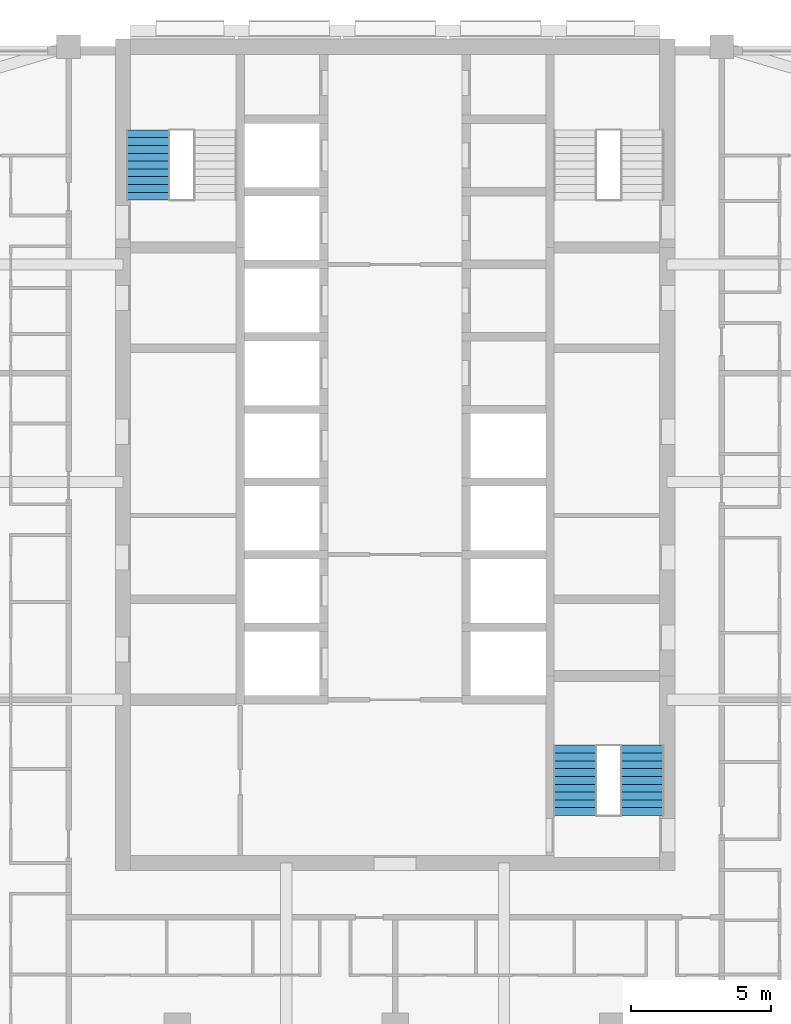
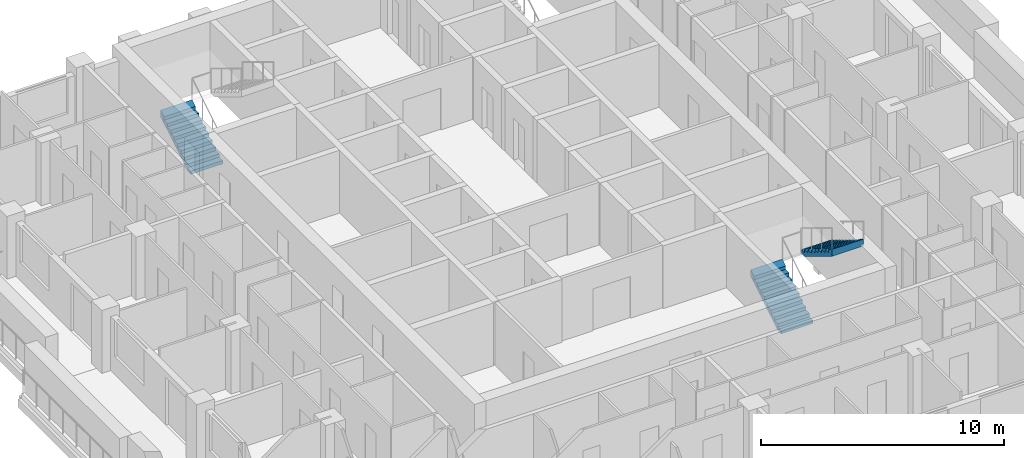
# One storey, part 11 of 14: 3 stair flights, 2 elements without a shape of their own.
"""IFC4 building model written with IfcOpenShell, lengths in metres."""

from ifc_helpers import new_model, si_unit, direction, frame, origin, place, context, subcontext, project, spatial, triangles, material, type_object, element, aggregate, save


model = new_model("IFC4")

# Units and contexts
model_context = context("Model", 3, precision=1e-05, world=origin(), true_north=direction((0.0, 1.0)))
body_context = subcontext(model_context, "Body", "Model", "MODEL_VIEW")
ifc_project = project(units=[si_unit("LENGTHUNIT", "METRE"), si_unit("AREAUNIT", "SQUARE_METRE"), si_unit("VOLUMEUNIT", "CUBIC_METRE"), si_unit("PLANEANGLEUNIT", "RADIAN"), si_unit("MASSUNIT", "GRAM", prefix="KILO")], contexts=[model_context])

# Site, building, storey
site_placement = place(None, origin())
site = spatial("IfcSite", under=ifc_project, at=site_placement, CompositionType="ELEMENT")
building_placement = place(site_placement, origin())
building = spatial("IfcBuilding", under=site, at=building_placement, Name="Ludao Terraces", CompositionType="ELEMENT")
storey_placement = place(building_placement, frame((0.0, 0.0, 110.10009765625)))
storey = spatial("IfcBuildingStorey", under=building, at=storey_placement, Name="L30", CompositionType="ELEMENT", Elevation=110.10009765625)

# Stair, stair flight
ifc_material = material(Name="Concrete C40", Category="concrete")
stair_type = type_object("IfcStairType", Name="INT Stair", PredefinedType="HALF_TURN_STAIR", material=ifc_material)
stair_1_placement = place(storey_placement, origin())
stair_1 = element("IfcStair", 1, at=stair_1_placement, inside=storey, type_object=stair_type, Name="EXIT STAIR 1", PredefinedType="HALF_TURN_STAIR")
stair_flight_type = type_object("IfcStairFlightType", Name="INT Stair flight", PredefinedType="STRAIGHT", material=ifc_material)
stair_flight_1_placement = place(storey_placement, frame((76.14990234375, 79.0, 0.0), z_axis=(0.0, 0.0, 1.0), x_axis=(0.0, 1.0, 0.0)))
stair_flight_1 = element("IfcStairFlight", 2, at=stair_flight_1_placement, type_object=stair_flight_type, Name="ST1 flight 1", NumberOfRisers=10, NumberOfTreads=9, PredefinedType="STRAIGHT", RiserHeight=0.17, TreadLength=0.28, context=body_context, shape_type="Tessellation", body=[
    triangles([(0.0, -0.75, 0.0), (0.0, -0.5, 0.0), (0.0, -0.25, 0.0), (0.0, 0.0, 0.0), (0.0, 0.25, 0.0), (0.0, 0.5, 0.0), (0.0, 0.75, 0.0), (0.0, -0.75, 0.169921875), (0.0, -0.5, 0.169921875), (0.0, -0.25, 0.169921875), (0.0, 0.0, 0.169921875), (0.0, 0.25, 0.169921875), (0.0, 0.5, 0.169921875), (0.0, 0.75, 0.169921875), (0.280029296875, -0.75, 0.169921875), (0.280029296875, -0.5, 0.169921875), (0.280029296875, -0.25, 0.169921875), (0.280029296875, 0.0, 0.169921875), (0.280029296875, 0.25, 0.169921875), (0.280029296875, 0.5, 0.169921875), (0.280029296875, 0.75, 0.169921875), (0.280029296875, -0.75, 0.340087890625), (0.280029296875, -0.5, 0.340087890625), (0.280029296875, -0.25, 0.340087890625), (0.280029296875, 0.0, 0.340087890625), (0.280029296875, 0.25, 0.340087890625), (0.280029296875, 0.5, 0.340087890625), (0.280029296875, 0.75, 0.340087890625), (0.56005859375, -0.75, 0.340087890625), (0.56005859375, -0.5, 0.340087890625), (0.56005859375, -0.25, 0.340087890625), (0.56005859375, 0.0, 0.340087890625), (0.56005859375, 0.25, 0.340087890625), (0.56005859375, 0.5, 0.340087890625), (0.56005859375, 0.75, 0.340087890625), (0.56005859375, -0.75, 0.510009765625), (0.56005859375, -0.5, 0.510009765625), (0.56005859375, -0.25, 0.510009765625), (0.56005859375, 0.0, 0.510009765625), (0.56005859375, 0.25, 0.510009765625), (0.56005859375, 0.5, 0.510009765625), (0.56005859375, 0.75, 0.510009765625), (0.840087890625, -0.75, 0.510009765625), (0.840087890625, -0.5, 0.510009765625), (0.840087890625, -0.25, 0.510009765625), (0.840087890625, 0.0, 0.510009765625), (0.840087890625, 0.25, 0.510009765625), (0.840087890625, 0.5, 0.510009765625), (0.840087890625, 0.75, 0.510009765625), (0.840087890625, -0.75, 0.679931640625), (0.840087890625, -0.5, 0.679931640625), (0.840087890625, -0.25, 0.679931640625), (0.840087890625, 0.0, 0.679931640625), (0.840087890625, 0.25, 0.679931640625), (0.840087890625, 0.5, 0.679931640625), (0.840087890625, 0.75, 0.679931640625), (1.1201171875, -0.75, 0.679931640625), (1.1201171875, -0.5, 0.679931640625), (1.1201171875, -0.25, 0.679931640625), (1.1201171875, 0.0, 0.679931640625), (1.1201171875, 0.25, 0.679931640625), (1.1201171875, 0.5, 0.679931640625), (1.1201171875, 0.75, 0.679931640625), (1.1201171875, -0.75, 0.85009765625), (1.1201171875, -0.5, 0.85009765625), (1.1201171875, -0.25, 0.85009765625), (1.1201171875, 0.0, 0.85009765625), (1.1201171875, 0.25, 0.85009765625), (1.1201171875, 0.5, 0.85009765625), (1.1201171875, 0.75, 0.85009765625), (1.39990234375, -0.75, 0.85009765625), (1.39990234375, -0.5, 0.85009765625), (1.39990234375, -0.25, 0.85009765625), (1.39990234375, 0.0, 0.85009765625), (1.39990234375, 0.25, 0.85009765625), (1.39990234375, 0.5, 0.85009765625), (1.39990234375, 0.75, 0.85009765625), (1.39990234375, -0.75, 1.02001953125), (1.39990234375, -0.5, 1.02001953125), (1.39990234375, -0.25, 1.02001953125), (1.39990234375, 0.0, 1.02001953125), (1.39990234375, 0.25, 1.02001953125), (1.39990234375, 0.5, 1.02001953125), (1.39990234375, 0.75, 1.02001953125), (1.679931640625, -0.75, 1.02001953125), (1.679931640625, -0.5, 1.02001953125), (1.679931640625, -0.25, 1.02001953125), (1.679931640625, 0.0, 1.02001953125), (1.679931640625, 0.25, 1.02001953125), (1.679931640625, 0.5, 1.02001953125), (1.679931640625, 0.75, 1.02001953125), (1.679931640625, -0.75, 1.18994140625), (1.679931640625, -0.5, 1.18994140625), (1.679931640625, -0.25, 1.18994140625), (1.679931640625, 0.0, 1.18994140625), (1.679931640625, 0.25, 1.18994140625), (1.679931640625, 0.5, 1.18994140625), (1.679931640625, 0.75, 1.18994140625), (1.9599609375, -0.75, 1.18994140625), (1.9599609375, -0.5, 1.18994140625), (1.9599609375, -0.25, 1.18994140625), (1.9599609375, 0.0, 1.18994140625), (1.9599609375, 0.25, 1.18994140625), (1.9599609375, 0.5, 1.18994140625), (1.9599609375, 0.75, 1.18994140625), (1.9599609375, -0.75, 1.360107421875), (1.9599609375, -0.5, 1.360107421875), (1.9599609375, -0.25, 1.360107421875), (1.9599609375, 0.0, 1.360107421875), (1.9599609375, 0.25, 1.360107421875), (1.9599609375, 0.5, 1.360107421875), (1.9599609375, 0.75, 1.360107421875), (2.239990234375, -0.75, 1.360107421875), (2.239990234375, -0.5, 1.360107421875), (2.239990234375, -0.25, 1.360107421875), (2.239990234375, 0.0, 1.360107421875), (2.239990234375, 0.25, 1.360107421875), (2.239990234375, 0.5, 1.360107421875), (2.239990234375, 0.75, 1.360107421875), (2.239990234375, -0.75, 1.530029296875), (2.239990234375, -0.5, 1.530029296875), (2.239990234375, -0.25, 1.530029296875), (2.239990234375, 0.0, 1.530029296875), (2.239990234375, 0.25, 1.530029296875), (2.239990234375, 0.5, 1.530029296875), (2.239990234375, 0.75, 1.530029296875), (2.52001953125, -0.75, 1.699951171875), (2.52001953125, -0.5, 1.699951171875), (2.52001953125, -0.25, 1.699951171875), (2.52001953125, 0.0, 1.699951171875), (2.52001953125, 0.25, 1.699951171875), (2.52001953125, 0.5, 1.699951171875), (2.52001953125, 0.75, 1.699951171875), (2.52001953125, -0.75, 1.354736328125), (2.52001953125, -0.5, 1.354736328125), (2.52001953125, -0.25, 1.354736328125), (2.52001953125, 0.0, 1.354736328125), (2.52001953125, 0.25, 1.354736328125), (2.52001953125, 0.5, 1.354736328125), (2.52001953125, 0.75, 1.354736328125), (0.288818359375, -0.75, 0.0), (0.288818359375, -0.5, 0.0), (0.288818359375, -0.25, 0.0), (0.288818359375, 0.0, 0.0), (0.288818359375, 0.25, 0.0), (0.288818359375, 0.5, 0.0), (0.288818359375, 0.75, 0.0)], [[1, 141, 134], [7, 140, 147], [134, 127, 120], [140, 126, 133], [134, 120, 113], [140, 119, 126], [134, 113, 106], [140, 112, 119], [134, 106, 99], [140, 105, 112], [99, 92, 85], [105, 91, 98], [134, 99, 85], [140, 91, 105], [85, 78, 71], [91, 77, 84], [134, 85, 71], [140, 77, 91], [71, 64, 57], [77, 63, 70], [134, 71, 57], [140, 63, 77], [57, 50, 43], [63, 49, 56], [134, 57, 43], [140, 49, 63], [43, 36, 29], [49, 35, 42], [134, 43, 29], [140, 35, 49], [29, 22, 15], [35, 21, 28], [134, 29, 15], [140, 21, 35], [1, 134, 15], [7, 21, 140], [15, 8, 1], [21, 7, 14], [1, 9, 2], [1, 8, 9], [2, 10, 3], [2, 9, 10], [3, 11, 4], [3, 10, 11], [4, 12, 5], [4, 11, 12], [5, 13, 6], [5, 12, 13], [6, 14, 7], [6, 13, 14], [8, 16, 9], [8, 15, 16], [9, 17, 10], [9, 16, 17], [10, 18, 11], [10, 17, 18], [11, 19, 12], [11, 18, 19], [12, 20, 13], [12, 19, 20], [13, 21, 14], [13, 20, 21], [15, 23, 16], [15, 22, 23], [16, 24, 17], [16, 23, 24], [17, 25, 18], [17, 24, 25], [18, 26, 19], [18, 25, 26], [19, 27, 20], [19, 26, 27], [20, 28, 21], [20, 27, 28], [22, 30, 23], [22, 29, 30], [23, 31, 24], [23, 30, 31], [24, 32, 25], [24, 31, 32], [25, 33, 26], [25, 32, 33], [26, 34, 27], [26, 33, 34], [27, 35, 28], [27, 34, 35], [29, 37, 30], [29, 36, 37], [30, 38, 31], [30, 37, 38], [31, 39, 32], [31, 38, 39], [32, 40, 33], [32, 39, 40], [33, 41, 34], [33, 40, 41], [34, 42, 35], [34, 41, 42], [36, 44, 37], [36, 43, 44], [37, 45, 38], [37, 44, 45], [38, 46, 39], [38, 45, 46], [39, 47, 40], [39, 46, 47], [40, 48, 41], [40, 47, 48], [41, 49, 42], [41, 48, 49], [43, 51, 44], [43, 50, 51], [44, 52, 45], [44, 51, 52], [45, 53, 46], [45, 52, 53], [46, 54, 47], [46, 53, 54], [47, 55, 48], [47, 54, 55], [48, 56, 49], [48, 55, 56], [50, 58, 51], [50, 57, 58], [51, 59, 52], [51, 58, 59], [52, 60, 53], [52, 59, 60], [53, 61, 54], [53, 60, 61], [54, 62, 55], [54, 61, 62], [55, 63, 56], [55, 62, 63], [57, 65, 58], [57, 64, 65], [58, 66, 59], [58, 65, 66], [59, 67, 60], [59, 66, 67], [60, 68, 61], [60, 67, 68], [61, 69, 62], [61, 68, 69], [62, 70, 63], [62, 69, 70], [64, 72, 65], [64, 71, 72], [65, 73, 66], [65, 72, 73], [66, 74, 67], [66, 73, 74], [67, 75, 68], [67, 74, 75], [68, 76, 69], [68, 75, 76], [69, 77, 70], [69, 76, 77], [71, 79, 72], [71, 78, 79], [72, 80, 73], [72, 79, 80], [73, 81, 74], [73, 80, 81], [74, 82, 75], [74, 81, 82], [75, 83, 76], [75, 82, 83], [76, 84, 77], [76, 83, 84], [78, 86, 79], [78, 85, 86], [79, 87, 80], [79, 86, 87], [80, 88, 81], [80, 87, 88], [81, 89, 82], [81, 88, 89], [82, 90, 83], [82, 89, 90], [83, 91, 84], [83, 90, 91], [85, 93, 86], [85, 92, 93], [86, 94, 87], [86, 93, 94], [87, 95, 88], [87, 94, 95], [88, 96, 89], [88, 95, 96], [89, 97, 90], [89, 96, 97], [90, 98, 91], [90, 97, 98], [92, 100, 93], [92, 99, 100], [93, 101, 94], [93, 100, 101], [94, 102, 95], [94, 101, 102], [95, 103, 96], [95, 102, 103], [96, 104, 97], [96, 103, 104], [97, 105, 98], [97, 104, 105], [99, 107, 100], [99, 106, 107], [100, 108, 101], [100, 107, 108], [101, 109, 102], [101, 108, 109], [102, 110, 103], [102, 109, 110], [103, 111, 104], [103, 110, 111], [104, 112, 105], [104, 111, 112], [106, 114, 107], [106, 113, 114], [107, 115, 108], [107, 114, 115], [108, 116, 109], [108, 115, 116], [109, 117, 110], [109, 116, 117], [110, 118, 111], [110, 117, 118], [111, 119, 112], [111, 118, 119], [113, 121, 114], [113, 120, 121], [114, 122, 115], [114, 121, 122], [115, 123, 116], [115, 122, 123], [116, 124, 117], [116, 123, 124], [117, 125, 118], [117, 124, 125], [118, 126, 119], [118, 125, 126], [120, 128, 121], [120, 127, 128], [121, 129, 122], [121, 128, 129], [122, 130, 123], [122, 129, 130], [123, 131, 124], [123, 130, 131], [124, 132, 125], [124, 131, 132], [125, 133, 126], [125, 132, 133], [127, 135, 128], [127, 134, 135], [128, 136, 129], [128, 135, 136], [129, 137, 130], [129, 136, 137], [130, 138, 131], [130, 137, 138], [131, 139, 132], [131, 138, 139], [132, 140, 133], [132, 139, 140], [134, 142, 135], [134, 141, 142], [135, 143, 136], [135, 142, 143], [136, 144, 137], [136, 143, 144], [137, 145, 138], [137, 144, 145], [138, 146, 139], [138, 145, 146], [139, 147, 140], [139, 146, 147], [141, 2, 142], [141, 1, 2], [142, 3, 143], [142, 2, 3], [143, 4, 144], [143, 3, 4], [144, 5, 145], [144, 4, 5], [145, 6, 146], [145, 5, 6], [146, 7, 147], [146, 6, 7]], closed=True),
])
aggregate(stair_1, [stair_flight_1])

# Stair, stair flights
stair_2_placement = place(storey_placement, origin())
stair_2 = element("IfcStair", 3, at=stair_2_placement, inside=storey, type_object=stair_type, Name="EXIT STAIR 3", PredefinedType="HALF_TURN_STAIR")
stair_flight_2_placement = place(storey_placement, frame((91.449951171875, 56.949951171875, 0.0), z_axis=(0.0, 0.0, 1.0), x_axis=(0.0, 1.0, 0.0)))
stair_flight_2 = element("IfcStairFlight", 4, at=stair_flight_2_placement, type_object=stair_flight_type, Name="ST3 flight 1", NumberOfRisers=10, NumberOfTreads=9, PredefinedType="STRAIGHT", RiserHeight=0.17, TreadLength=0.28, context=body_context, shape_type="Tessellation", body=[
    triangles([(0.0, -0.75, 0.0), (0.0, -0.5, 0.0), (0.0, -0.25, 0.0), (0.0, 0.0, 0.0), (0.0, 0.25, 0.0), (0.0, 0.5, 0.0), (0.0, 0.75, 0.0), (0.0, -0.75, 0.169921875), (0.0, -0.5, 0.169921875), (0.0, -0.25, 0.169921875), (0.0, 0.0, 0.169921875), (0.0, 0.25, 0.169921875), (0.0, 0.5, 0.169921875), (0.0, 0.75, 0.169921875), (0.280029296875, -0.75, 0.169921875), (0.280029296875, -0.5, 0.169921875), (0.280029296875, -0.25, 0.169921875), (0.280029296875, 0.0, 0.169921875), (0.280029296875, 0.25, 0.169921875), (0.280029296875, 0.5, 0.169921875), (0.280029296875, 0.75, 0.169921875), (0.280029296875, -0.75, 0.340087890625), (0.280029296875, -0.5, 0.340087890625), (0.280029296875, -0.25, 0.340087890625), (0.280029296875, 0.0, 0.340087890625), (0.280029296875, 0.25, 0.340087890625), (0.280029296875, 0.5, 0.340087890625), (0.280029296875, 0.75, 0.340087890625), (0.56005859375, -0.75, 0.340087890625), (0.56005859375, -0.5, 0.340087890625), (0.56005859375, -0.25, 0.340087890625), (0.56005859375, 0.0, 0.340087890625), (0.56005859375, 0.25, 0.340087890625), (0.56005859375, 0.5, 0.340087890625), (0.56005859375, 0.75, 0.340087890625), (0.56005859375, -0.75, 0.510009765625), (0.56005859375, -0.5, 0.510009765625), (0.56005859375, -0.25, 0.510009765625), (0.56005859375, 0.0, 0.510009765625), (0.56005859375, 0.25, 0.510009765625), (0.56005859375, 0.5, 0.510009765625), (0.56005859375, 0.75, 0.510009765625), (0.840087890625, -0.75, 0.510009765625), (0.840087890625, -0.5, 0.510009765625), (0.840087890625, -0.25, 0.510009765625), (0.840087890625, 0.0, 0.510009765625), (0.840087890625, 0.25, 0.510009765625), (0.840087890625, 0.5, 0.510009765625), (0.840087890625, 0.75, 0.510009765625), (0.840087890625, -0.75, 0.679931640625), (0.840087890625, -0.5, 0.679931640625), (0.840087890625, -0.25, 0.679931640625), (0.840087890625, 0.0, 0.679931640625), (0.840087890625, 0.25, 0.679931640625), (0.840087890625, 0.5, 0.679931640625), (0.840087890625, 0.75, 0.679931640625), (1.1201171875, -0.75, 0.679931640625), (1.1201171875, -0.5, 0.679931640625), (1.1201171875, -0.25, 0.679931640625), (1.1201171875, 0.0, 0.679931640625), (1.1201171875, 0.25, 0.679931640625), (1.1201171875, 0.5, 0.679931640625), (1.1201171875, 0.75, 0.679931640625), (1.1201171875, -0.75, 0.85009765625), (1.1201171875, -0.5, 0.85009765625), (1.1201171875, -0.25, 0.85009765625), (1.1201171875, 0.0, 0.85009765625), (1.1201171875, 0.25, 0.85009765625), (1.1201171875, 0.5, 0.85009765625), (1.1201171875, 0.75, 0.85009765625), (1.39990234375, -0.75, 0.85009765625), (1.39990234375, -0.5, 0.85009765625), (1.39990234375, -0.25, 0.85009765625), (1.39990234375, 0.0, 0.85009765625), (1.39990234375, 0.25, 0.85009765625), (1.39990234375, 0.5, 0.85009765625), (1.39990234375, 0.75, 0.85009765625), (1.39990234375, -0.75, 1.02001953125), (1.39990234375, -0.5, 1.02001953125), (1.39990234375, -0.25, 1.02001953125), (1.39990234375, 0.0, 1.02001953125), (1.39990234375, 0.25, 1.02001953125), (1.39990234375, 0.5, 1.02001953125), (1.39990234375, 0.75, 1.02001953125), (1.679931640625, -0.75, 1.02001953125), (1.679931640625, -0.5, 1.02001953125), (1.679931640625, -0.25, 1.02001953125), (1.679931640625, 0.0, 1.02001953125), (1.679931640625, 0.25, 1.02001953125), (1.679931640625, 0.5, 1.02001953125), (1.679931640625, 0.75, 1.02001953125), (1.679931640625, -0.75, 1.18994140625), (1.679931640625, -0.5, 1.18994140625), (1.679931640625, -0.25, 1.18994140625), (1.679931640625, 0.0, 1.18994140625), (1.679931640625, 0.25, 1.18994140625), (1.679931640625, 0.5, 1.18994140625), (1.679931640625, 0.75, 1.18994140625), (1.9599609375, -0.75, 1.18994140625), (1.9599609375, -0.5, 1.18994140625), (1.9599609375, -0.25, 1.18994140625), (1.9599609375, 0.0, 1.18994140625), (1.9599609375, 0.25, 1.18994140625), (1.9599609375, 0.5, 1.18994140625), (1.9599609375, 0.75, 1.18994140625), (1.9599609375, -0.75, 1.360107421875), (1.9599609375, -0.5, 1.360107421875), (1.9599609375, -0.25, 1.360107421875), (1.9599609375, 0.0, 1.360107421875), (1.9599609375, 0.25, 1.360107421875), (1.9599609375, 0.5, 1.360107421875), (1.9599609375, 0.75, 1.360107421875), (2.239990234375, -0.75, 1.360107421875), (2.239990234375, -0.5, 1.360107421875), (2.239990234375, -0.25, 1.360107421875), (2.239990234375, 0.0, 1.360107421875), (2.239990234375, 0.25, 1.360107421875), (2.239990234375, 0.5, 1.360107421875), (2.239990234375, 0.75, 1.360107421875), (2.239990234375, -0.75, 1.530029296875), (2.239990234375, -0.5, 1.530029296875), (2.239990234375, -0.25, 1.530029296875), (2.239990234375, 0.0, 1.530029296875), (2.239990234375, 0.25, 1.530029296875), (2.239990234375, 0.5, 1.530029296875), (2.239990234375, 0.75, 1.530029296875), (2.52001953125, -0.75, 1.699951171875), (2.52001953125, -0.5, 1.699951171875), (2.52001953125, -0.25, 1.699951171875), (2.52001953125, 0.0, 1.699951171875), (2.52001953125, 0.25, 1.699951171875), (2.52001953125, 0.5, 1.699951171875), (2.52001953125, 0.75, 1.699951171875), (2.52001953125, -0.75, 1.354736328125), (2.52001953125, -0.5, 1.354736328125), (2.52001953125, -0.25, 1.354736328125), (2.52001953125, 0.0, 1.354736328125), (2.52001953125, 0.25, 1.354736328125), (2.52001953125, 0.5, 1.354736328125), (2.52001953125, 0.75, 1.354736328125), (0.288818359375, -0.75, 0.0), (0.288818359375, -0.5, 0.0), (0.288818359375, -0.25, 0.0), (0.288818359375, 0.0, 0.0), (0.288818359375, 0.25, 0.0), (0.288818359375, 0.5, 0.0), (0.288818359375, 0.75, 0.0)], [[1, 141, 134], [7, 140, 147], [134, 127, 120], [140, 126, 133], [134, 120, 113], [140, 119, 126], [134, 113, 106], [140, 112, 119], [134, 106, 99], [140, 105, 112], [99, 92, 85], [105, 91, 98], [134, 99, 85], [140, 91, 105], [85, 78, 71], [91, 77, 84], [134, 85, 71], [140, 77, 91], [71, 64, 57], [77, 63, 70], [134, 71, 57], [140, 63, 77], [57, 50, 43], [63, 49, 56], [134, 57, 43], [140, 49, 63], [43, 36, 29], [49, 35, 42], [134, 43, 29], [140, 35, 49], [29, 22, 15], [35, 21, 28], [134, 29, 15], [140, 21, 35], [1, 134, 15], [7, 21, 140], [15, 8, 1], [21, 7, 14], [1, 9, 2], [1, 8, 9], [2, 10, 3], [2, 9, 10], [3, 11, 4], [3, 10, 11], [4, 12, 5], [4, 11, 12], [5, 13, 6], [5, 12, 13], [6, 14, 7], [6, 13, 14], [8, 16, 9], [8, 15, 16], [9, 17, 10], [9, 16, 17], [10, 18, 11], [10, 17, 18], [11, 19, 12], [11, 18, 19], [12, 20, 13], [12, 19, 20], [13, 21, 14], [13, 20, 21], [15, 23, 16], [15, 22, 23], [16, 24, 17], [16, 23, 24], [17, 25, 18], [17, 24, 25], [18, 26, 19], [18, 25, 26], [19, 27, 20], [19, 26, 27], [20, 28, 21], [20, 27, 28], [22, 30, 23], [22, 29, 30], [23, 31, 24], [23, 30, 31], [24, 32, 25], [24, 31, 32], [25, 33, 26], [25, 32, 33], [26, 34, 27], [26, 33, 34], [27, 35, 28], [27, 34, 35], [29, 37, 30], [29, 36, 37], [30, 38, 31], [30, 37, 38], [31, 39, 32], [31, 38, 39], [32, 40, 33], [32, 39, 40], [33, 41, 34], [33, 40, 41], [34, 42, 35], [34, 41, 42], [36, 44, 37], [36, 43, 44], [37, 45, 38], [37, 44, 45], [38, 46, 39], [38, 45, 46], [39, 47, 40], [39, 46, 47], [40, 48, 41], [40, 47, 48], [41, 49, 42], [41, 48, 49], [43, 51, 44], [43, 50, 51], [44, 52, 45], [44, 51, 52], [45, 53, 46], [45, 52, 53], [46, 54, 47], [46, 53, 54], [47, 55, 48], [47, 54, 55], [48, 56, 49], [48, 55, 56], [50, 58, 51], [50, 57, 58], [51, 59, 52], [51, 58, 59], [52, 60, 53], [52, 59, 60], [53, 61, 54], [53, 60, 61], [54, 62, 55], [54, 61, 62], [55, 63, 56], [55, 62, 63], [57, 65, 58], [57, 64, 65], [58, 66, 59], [58, 65, 66], [59, 67, 60], [59, 66, 67], [60, 68, 61], [60, 67, 68], [61, 69, 62], [61, 68, 69], [62, 70, 63], [62, 69, 70], [64, 72, 65], [64, 71, 72], [65, 73, 66], [65, 72, 73], [66, 74, 67], [66, 73, 74], [67, 75, 68], [67, 74, 75], [68, 76, 69], [68, 75, 76], [69, 77, 70], [69, 76, 77], [71, 79, 72], [71, 78, 79], [72, 80, 73], [72, 79, 80], [73, 81, 74], [73, 80, 81], [74, 82, 75], [74, 81, 82], [75, 83, 76], [75, 82, 83], [76, 84, 77], [76, 83, 84], [78, 86, 79], [78, 85, 86], [79, 87, 80], [79, 86, 87], [80, 88, 81], [80, 87, 88], [81, 89, 82], [81, 88, 89], [82, 90, 83], [82, 89, 90], [83, 91, 84], [83, 90, 91], [85, 93, 86], [85, 92, 93], [86, 94, 87], [86, 93, 94], [87, 95, 88], [87, 94, 95], [88, 96, 89], [88, 95, 96], [89, 97, 90], [89, 96, 97], [90, 98, 91], [90, 97, 98], [92, 100, 93], [92, 99, 100], [93, 101, 94], [93, 100, 101], [94, 102, 95], [94, 101, 102], [95, 103, 96], [95, 102, 103], [96, 104, 97], [96, 103, 104], [97, 105, 98], [97, 104, 105], [99, 107, 100], [99, 106, 107], [100, 108, 101], [100, 107, 108], [101, 109, 102], [101, 108, 109], [102, 110, 103], [102, 109, 110], [103, 111, 104], [103, 110, 111], [104, 112, 105], [104, 111, 112], [106, 114, 107], [106, 113, 114], [107, 115, 108], [107, 114, 115], [108, 116, 109], [108, 115, 116], [109, 117, 110], [109, 116, 117], [110, 118, 111], [110, 117, 118], [111, 119, 112], [111, 118, 119], [113, 121, 114], [113, 120, 121], [114, 122, 115], [114, 121, 122], [115, 123, 116], [115, 122, 123], [116, 124, 117], [116, 123, 124], [117, 125, 118], [117, 124, 125], [118, 126, 119], [118, 125, 126], [120, 128, 121], [120, 127, 128], [121, 129, 122], [121, 128, 129], [122, 130, 123], [122, 129, 130], [123, 131, 124], [123, 130, 131], [124, 132, 125], [124, 131, 132], [125, 133, 126], [125, 132, 133], [127, 135, 128], [127, 134, 135], [128, 136, 129], [128, 135, 136], [129, 137, 130], [129, 136, 137], [130, 138, 131], [130, 137, 138], [131, 139, 132], [131, 138, 139], [132, 140, 133], [132, 139, 140], [134, 142, 135], [134, 141, 142], [135, 143, 136], [135, 142, 143], [136, 144, 137], [136, 143, 144], [137, 145, 138], [137, 144, 145], [138, 146, 139], [138, 145, 146], [139, 147, 140], [139, 146, 147], [141, 2, 142], [141, 1, 2], [142, 3, 143], [142, 2, 3], [143, 4, 144], [143, 3, 4], [144, 5, 145], [144, 4, 5], [145, 6, 146], [145, 5, 6], [146, 7, 147], [146, 6, 7]], closed=True),
])
stair_flight_3_placement = place(storey_placement, frame((93.85009765625, 59.469970703125, 1.699951171875), z_axis=(0.0, 0.0, 1.0), x_axis=(0.0, -1.0, 0.0)))
stair_flight_3 = element("IfcStairFlight", 5, at=stair_flight_3_placement, type_object=stair_flight_type, Name="ST3 flight 2", NumberOfRisers=10, NumberOfTreads=9, PredefinedType="STRAIGHT", RiserHeight=0.17, TreadLength=0.28, context=body_context, shape_type="Tessellation", body=[
    triangles([(0.0, -0.75, 0.0), (0.0, -0.5, 0.0), (0.0, -0.25, 0.0), (0.0, 0.0, 0.0), (0.0, 0.25, 0.0), (0.0, 0.5, 0.0), (0.0, 0.75, 0.0), (0.0, -0.75, 0.169921875), (0.0, -0.5, 0.169921875), (0.0, -0.25, 0.169921875), (0.0, 0.0, 0.169921875), (0.0, 0.25, 0.169921875), (0.0, 0.5, 0.169921875), (0.0, 0.75, 0.169921875), (0.280029296875, -0.75, 0.169921875), (0.280029296875, -0.5, 0.169921875), (0.280029296875, -0.25, 0.169921875), (0.280029296875, 0.0, 0.169921875), (0.280029296875, 0.25, 0.169921875), (0.280029296875, 0.5, 0.169921875), (0.280029296875, 0.75, 0.169921875), (0.280029296875, -0.75, 0.340087890625), (0.280029296875, -0.5, 0.340087890625), (0.280029296875, -0.25, 0.340087890625), (0.280029296875, 0.0, 0.340087890625), (0.280029296875, 0.25, 0.340087890625), (0.280029296875, 0.5, 0.340087890625), (0.280029296875, 0.75, 0.340087890625), (0.56005859375, -0.75, 0.340087890625), (0.56005859375, -0.5, 0.340087890625), (0.56005859375, -0.25, 0.340087890625), (0.56005859375, 0.0, 0.340087890625), (0.56005859375, 0.25, 0.340087890625), (0.56005859375, 0.5, 0.340087890625), (0.56005859375, 0.75, 0.340087890625), (0.56005859375, -0.75, 0.510009765625), (0.56005859375, -0.5, 0.510009765625), (0.56005859375, -0.25, 0.510009765625), (0.56005859375, 0.0, 0.510009765625), (0.56005859375, 0.25, 0.510009765625), (0.56005859375, 0.5, 0.510009765625), (0.56005859375, 0.75, 0.510009765625), (0.840087890625, -0.75, 0.510009765625), (0.840087890625, -0.5, 0.510009765625), (0.840087890625, -0.25, 0.510009765625), (0.840087890625, 0.0, 0.510009765625), (0.840087890625, 0.25, 0.510009765625), (0.840087890625, 0.5, 0.510009765625), (0.840087890625, 0.75, 0.510009765625), (0.840087890625, -0.75, 0.679931640625), (0.840087890625, -0.5, 0.679931640625), (0.840087890625, -0.25, 0.679931640625), (0.840087890625, 0.0, 0.679931640625), (0.840087890625, 0.25, 0.679931640625), (0.840087890625, 0.5, 0.679931640625), (0.840087890625, 0.75, 0.679931640625), (1.1201171875, -0.75, 0.679931640625), (1.1201171875, -0.5, 0.679931640625), (1.1201171875, -0.25, 0.679931640625), (1.1201171875, 0.0, 0.679931640625), (1.1201171875, 0.25, 0.679931640625), (1.1201171875, 0.5, 0.679931640625), (1.1201171875, 0.75, 0.679931640625), (1.1201171875, -0.75, 0.85009765625), (1.1201171875, -0.5, 0.85009765625), (1.1201171875, -0.25, 0.85009765625), (1.1201171875, 0.0, 0.85009765625), (1.1201171875, 0.25, 0.85009765625), (1.1201171875, 0.5, 0.85009765625), (1.1201171875, 0.75, 0.85009765625), (1.39990234375, -0.75, 0.85009765625), (1.39990234375, -0.5, 0.85009765625), (1.39990234375, -0.25, 0.85009765625), (1.39990234375, 0.0, 0.85009765625), (1.39990234375, 0.25, 0.85009765625), (1.39990234375, 0.5, 0.85009765625), (1.39990234375, 0.75, 0.85009765625), (1.39990234375, -0.75, 1.02001953125), (1.39990234375, -0.5, 1.02001953125), (1.39990234375, -0.25, 1.02001953125), (1.39990234375, 0.0, 1.02001953125), (1.39990234375, 0.25, 1.02001953125), (1.39990234375, 0.5, 1.02001953125), (1.39990234375, 0.75, 1.02001953125), (1.679931640625, -0.75, 1.02001953125), (1.679931640625, -0.5, 1.02001953125), (1.679931640625, -0.25, 1.02001953125), (1.679931640625, 0.0, 1.02001953125), (1.679931640625, 0.25, 1.02001953125), (1.679931640625, 0.5, 1.02001953125), (1.679931640625, 0.75, 1.02001953125), (1.679931640625, -0.75, 1.18994140625), (1.679931640625, -0.5, 1.18994140625), (1.679931640625, -0.25, 1.18994140625), (1.679931640625, 0.0, 1.18994140625), (1.679931640625, 0.25, 1.18994140625), (1.679931640625, 0.5, 1.18994140625), (1.679931640625, 0.75, 1.18994140625), (1.9599609375, -0.75, 1.18994140625), (1.9599609375, -0.5, 1.18994140625), (1.9599609375, -0.25, 1.18994140625), (1.9599609375, 0.0, 1.18994140625), (1.9599609375, 0.25, 1.18994140625), (1.9599609375, 0.5, 1.18994140625), (1.9599609375, 0.75, 1.18994140625), (1.9599609375, -0.75, 1.360107421875), (1.9599609375, -0.5, 1.360107421875), (1.9599609375, -0.25, 1.360107421875), (1.9599609375, 0.0, 1.360107421875), (1.9599609375, 0.25, 1.360107421875), (1.9599609375, 0.5, 1.360107421875), (1.9599609375, 0.75, 1.360107421875), (2.239990234375, -0.75, 1.360107421875), (2.239990234375, -0.5, 1.360107421875), (2.239990234375, -0.25, 1.360107421875), (2.239990234375, 0.0, 1.360107421875), (2.239990234375, 0.25, 1.360107421875), (2.239990234375, 0.5, 1.360107421875), (2.239990234375, 0.75, 1.360107421875), (2.239990234375, -0.75, 1.530029296875), (2.239990234375, -0.5, 1.530029296875), (2.239990234375, -0.25, 1.530029296875), (2.239990234375, 0.0, 1.530029296875), (2.239990234375, 0.25, 1.530029296875), (2.239990234375, 0.5, 1.530029296875), (2.239990234375, 0.75, 1.530029296875), (2.52001953125, -0.75, 1.699951171875), (2.52001953125, -0.5, 1.699951171875), (2.52001953125, -0.25, 1.699951171875), (2.52001953125, 0.0, 1.699951171875), (2.52001953125, 0.25, 1.699951171875), (2.52001953125, 0.5, 1.699951171875), (2.52001953125, 0.75, 1.699951171875), (2.52001953125, -0.75, 1.354736328125), (2.52001953125, -0.5, 1.354736328125), (2.52001953125, -0.25, 1.354736328125), (2.52001953125, 0.0, 1.354736328125), (2.52001953125, 0.25, 1.354736328125), (2.52001953125, 0.5, 1.354736328125), (2.52001953125, 0.75, 1.354736328125), (0.288818359375, -0.75, 0.0), (0.288818359375, -0.5, 0.0), (0.288818359375, -0.25, 0.0), (0.288818359375, 0.0, 0.0), (0.288818359375, 0.25, 0.0), (0.288818359375, 0.5, 0.0), (0.288818359375, 0.75, 0.0)], [[1, 141, 134], [7, 140, 147], [134, 127, 120], [140, 126, 133], [134, 120, 113], [140, 119, 126], [134, 113, 106], [140, 112, 119], [134, 106, 99], [140, 105, 112], [99, 92, 85], [105, 91, 98], [134, 99, 85], [140, 91, 105], [85, 78, 71], [91, 77, 84], [134, 85, 71], [140, 77, 91], [71, 64, 57], [77, 63, 70], [134, 71, 57], [140, 63, 77], [57, 50, 43], [63, 49, 56], [134, 57, 43], [140, 49, 63], [43, 36, 29], [49, 35, 42], [134, 43, 29], [140, 35, 49], [29, 22, 15], [35, 21, 28], [134, 29, 15], [140, 21, 35], [1, 134, 15], [7, 21, 140], [15, 8, 1], [21, 7, 14], [1, 9, 2], [1, 8, 9], [2, 10, 3], [2, 9, 10], [3, 11, 4], [3, 10, 11], [4, 12, 5], [4, 11, 12], [5, 13, 6], [5, 12, 13], [6, 14, 7], [6, 13, 14], [8, 16, 9], [8, 15, 16], [9, 17, 10], [9, 16, 17], [10, 18, 11], [10, 17, 18], [11, 19, 12], [11, 18, 19], [12, 20, 13], [12, 19, 20], [13, 21, 14], [13, 20, 21], [15, 23, 16], [15, 22, 23], [16, 24, 17], [16, 23, 24], [17, 25, 18], [17, 24, 25], [18, 26, 19], [18, 25, 26], [19, 27, 20], [19, 26, 27], [20, 28, 21], [20, 27, 28], [22, 30, 23], [22, 29, 30], [23, 31, 24], [23, 30, 31], [24, 32, 25], [24, 31, 32], [25, 33, 26], [25, 32, 33], [26, 34, 27], [26, 33, 34], [27, 35, 28], [27, 34, 35], [29, 37, 30], [29, 36, 37], [30, 38, 31], [30, 37, 38], [31, 39, 32], [31, 38, 39], [32, 40, 33], [32, 39, 40], [33, 41, 34], [33, 40, 41], [34, 42, 35], [34, 41, 42], [36, 44, 37], [36, 43, 44], [37, 45, 38], [37, 44, 45], [38, 46, 39], [38, 45, 46], [39, 47, 40], [39, 46, 47], [40, 48, 41], [40, 47, 48], [41, 49, 42], [41, 48, 49], [43, 51, 44], [43, 50, 51], [44, 52, 45], [44, 51, 52], [45, 53, 46], [45, 52, 53], [46, 54, 47], [46, 53, 54], [47, 55, 48], [47, 54, 55], [48, 56, 49], [48, 55, 56], [50, 58, 51], [50, 57, 58], [51, 59, 52], [51, 58, 59], [52, 60, 53], [52, 59, 60], [53, 61, 54], [53, 60, 61], [54, 62, 55], [54, 61, 62], [55, 63, 56], [55, 62, 63], [57, 65, 58], [57, 64, 65], [58, 66, 59], [58, 65, 66], [59, 67, 60], [59, 66, 67], [60, 68, 61], [60, 67, 68], [61, 69, 62], [61, 68, 69], [62, 70, 63], [62, 69, 70], [64, 72, 65], [64, 71, 72], [65, 73, 66], [65, 72, 73], [66, 74, 67], [66, 73, 74], [67, 75, 68], [67, 74, 75], [68, 76, 69], [68, 75, 76], [69, 77, 70], [69, 76, 77], [71, 79, 72], [71, 78, 79], [72, 80, 73], [72, 79, 80], [73, 81, 74], [73, 80, 81], [74, 82, 75], [74, 81, 82], [75, 83, 76], [75, 82, 83], [76, 84, 77], [76, 83, 84], [78, 86, 79], [78, 85, 86], [79, 87, 80], [79, 86, 87], [80, 88, 81], [80, 87, 88], [81, 89, 82], [81, 88, 89], [82, 90, 83], [82, 89, 90], [83, 91, 84], [83, 90, 91], [85, 93, 86], [85, 92, 93], [86, 94, 87], [86, 93, 94], [87, 95, 88], [87, 94, 95], [88, 96, 89], [88, 95, 96], [89, 97, 90], [89, 96, 97], [90, 98, 91], [90, 97, 98], [92, 100, 93], [92, 99, 100], [93, 101, 94], [93, 100, 101], [94, 102, 95], [94, 101, 102], [95, 103, 96], [95, 102, 103], [96, 104, 97], [96, 103, 104], [97, 105, 98], [97, 104, 105], [99, 107, 100], [99, 106, 107], [100, 108, 101], [100, 107, 108], [101, 109, 102], [101, 108, 109], [102, 110, 103], [102, 109, 110], [103, 111, 104], [103, 110, 111], [104, 112, 105], [104, 111, 112], [106, 114, 107], [106, 113, 114], [107, 115, 108], [107, 114, 115], [108, 116, 109], [108, 115, 116], [109, 117, 110], [109, 116, 117], [110, 118, 111], [110, 117, 118], [111, 119, 112], [111, 118, 119], [113, 121, 114], [113, 120, 121], [114, 122, 115], [114, 121, 122], [115, 123, 116], [115, 122, 123], [116, 124, 117], [116, 123, 124], [117, 125, 118], [117, 124, 125], [118, 126, 119], [118, 125, 126], [120, 128, 121], [120, 127, 128], [121, 129, 122], [121, 128, 129], [122, 130, 123], [122, 129, 130], [123, 131, 124], [123, 130, 131], [124, 132, 125], [124, 131, 132], [125, 133, 126], [125, 132, 133], [127, 135, 128], [127, 134, 135], [128, 136, 129], [128, 135, 136], [129, 137, 130], [129, 136, 137], [130, 138, 131], [130, 137, 138], [131, 139, 132], [131, 138, 139], [132, 140, 133], [132, 139, 140], [134, 142, 135], [134, 141, 142], [135, 143, 136], [135, 142, 143], [136, 144, 137], [136, 143, 144], [137, 145, 138], [137, 144, 145], [138, 146, 139], [138, 145, 146], [139, 147, 140], [139, 146, 147], [141, 2, 142], [141, 1, 2], [142, 3, 143], [142, 2, 3], [143, 4, 144], [143, 3, 4], [144, 5, 145], [144, 4, 5], [145, 6, 146], [145, 5, 6], [146, 7, 147], [146, 6, 7]], closed=True),
])
aggregate(stair_2, [stair_flight_2, stair_flight_3])

save(model, "model.ifc")
